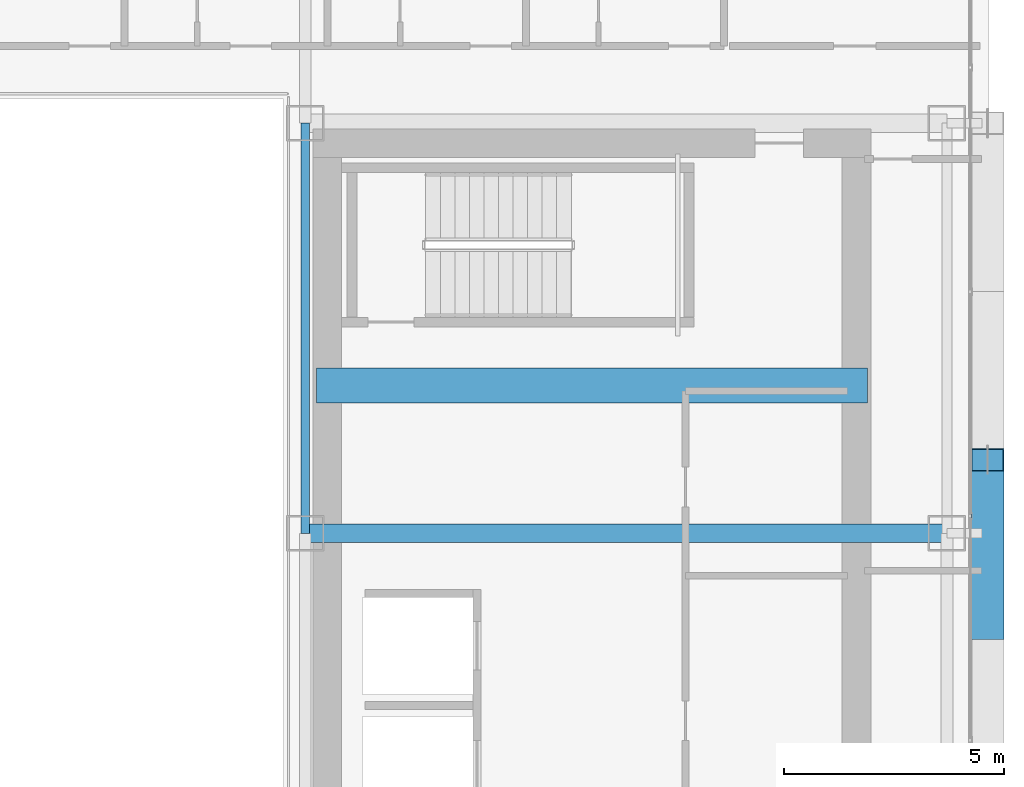
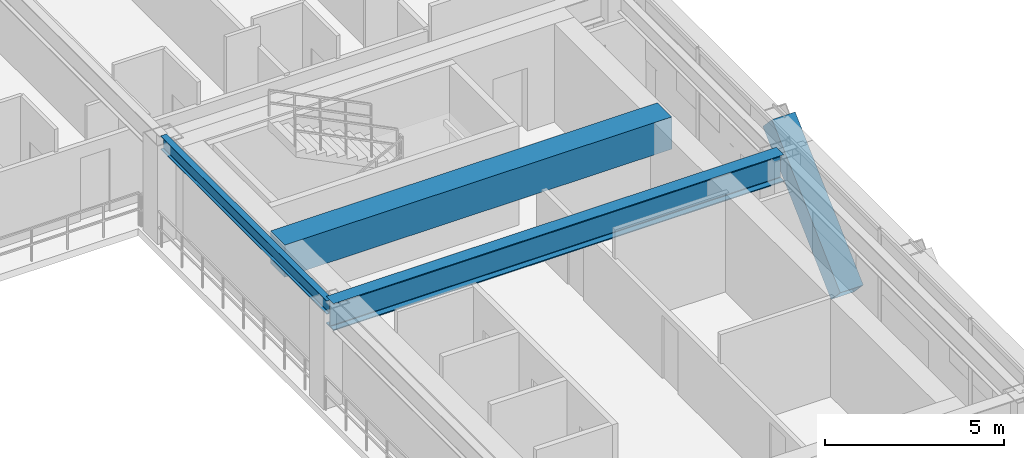
# One storey, part 14 of 36: 3 beams, 1 member.
"""IFC4 building model written with IfcOpenShell, lengths in metres."""

from ifc_helpers import new_model, si_unit, direction, frame, origin, origin_2d, place, context, subcontext, project, spatial, rectangle, hollow_rectangle, i_section, extrude, source, transform, mapped, material, material_profile, profile_set, type_object, element, save


model = new_model("IFC4")

# Units and contexts
model_context = context("Model", 3, precision=1e-05, world=origin(), true_north=direction((0.0, 1.0)))
body_context = subcontext(model_context, "Body", "Model", "MODEL_VIEW")
ifc_project = project(units=[si_unit("LENGTHUNIT", "METRE"), si_unit("AREAUNIT", "SQUARE_METRE"), si_unit("VOLUMEUNIT", "CUBIC_METRE"), si_unit("PLANEANGLEUNIT", "RADIAN"), si_unit("MASSUNIT", "GRAM", prefix="KILO")], contexts=[model_context])

# Site, building, storey
site_placement = place(None, origin())
site = spatial("IfcSite", under=ifc_project, at=site_placement, CompositionType="ELEMENT")
building_placement = place(site_placement, origin())
building = spatial("IfcBuilding", under=site, at=building_placement, Name="Ocotamira Hotel", CompositionType="ELEMENT")
storey_placement = place(building_placement, frame((0.0, 0.0, 136.800048828125)))
storey = spatial("IfcBuildingStorey", under=building, at=storey_placement, Name="L34", CompositionType="ELEMENT", Elevation=136.800048828125)

# Beams
ifc_material_1 = material(Name="Concrete C60/75", Category="concrete")
ifc_material_profile_1 = material_profile(ifc_material_1, rectangle(XDim=0.800048828125, YDim=1.10009765625, at=origin_2d()), Name="RC800X1100")
ifc_profile_set_1 = profile_set([ifc_material_profile_1], Name="Concrete C60/75")
beam_type_1 = type_object("IfcBeamType", Name="BM-LINK-RC800", PredefinedType="LINTEL", material=ifc_profile_set_1)
shared_shape_1 = source(origin(), body_context, "Body", "SweptSolid", [
    extrude(rectangle(XDim=0.800048828125, YDim=1.10009765625, at=origin_2d()), origin(), (0.0, 0.0, 1.0), 12.5),
])
beam_1_placement = place(storey_placement, frame((40.75, 31.5, 2.81005859375), z_axis=(1.0, 0.0, 0.0), x_axis=(0.0, 1.0, 0.0)))
element("IfcBeam", 1, at=beam_1_placement, inside=storey, type_object=beam_type_1, Name="L34 East Core Coupling Beam", PredefinedType="LINTEL", context=body_context, shape_type="MappedRepresentation", body=[
    mapped(shared_shape_1, transform((0.0, 0.0, 0.0), scale=1.0)),
])
ifc_material_2 = material(Name="Steel ASTM A992 Grade 50", Category="steel")
ifc_material_profile_2 = material_profile(ifc_material_2, i_section(OverallWidth=0.41796875, OverallDepth=0.927001953125, WebThickness=0.019287109375, FlangeThickness=0.031982421875, FilletRadius=0.02392578125, at=origin_2d()), Name="W36X231")
ifc_profile_set_2 = profile_set([ifc_material_profile_2], Name="Steel ASTM A992 Grade 50")
beam_type_2 = type_object("IfcBeamType", Name="BM-GIRD-W36X231", PredefinedType="BEAM", material=ifc_profile_set_2)
shared_shape_2 = source(origin(), body_context, "Body", "SweptSolid", [
    extrude(i_section(OverallWidth=0.41796875, OverallDepth=0.927001953125, WebThickness=0.019287109375, FlangeThickness=0.031982421875, FilletRadius=0.02392578125, at=origin_2d()), origin(), (0.0, 0.0, 1.0), 14.550048828125),
])
beam_2_placement = place(storey_placement, frame((40.5, 28.14990234375, 2.896484375), z_axis=(1.0, 0.0, 0.0), x_axis=(0.0, 1.0, 0.0)))
element("IfcBeam", 2, at=beam_2_placement, inside=storey, type_object=beam_type_2, Name="L34 Girder Y28.15 X40.5-55.05", PredefinedType="BEAM", context=body_context, shape_type="MappedRepresentation", body=[
    mapped(shared_shape_2, transform((0.0, 0.0, 0.0), scale=1.0)),
])
ifc_material_profile_3 = material_profile(ifc_material_2, i_section(OverallWidth=0.18994140625, OverallDepth=0.45703125, WebThickness=0.009033203125, FlangeThickness=0.014404296875, FilletRadius=0.010009765625, at=origin_2d()), Name="W18X50")
ifc_profile_set_3 = profile_set([ifc_material_profile_3], Name="Steel ASTM A992 Grade 50")
beam_type_3 = type_object("IfcBeamType", Name="BM-SEC-W18X50", PredefinedType="JOIST", material=ifc_profile_set_3)
shared_shape_3 = source(origin(), body_context, "Body", "SweptSolid", [
    extrude(i_section(OverallWidth=0.18994140625, OverallDepth=0.45703125, WebThickness=0.009033203125, FlangeThickness=0.014404296875, FilletRadius=0.010009765625, at=origin_2d()), origin(), (0.0, 0.0, 1.0), 9.300048828125),
])
beam_3_placement = place(storey_placement, frame((40.5, 28.14990234375, 3.13134765625), z_axis=(0.0, 1.0, 0.0), x_axis=(-1.0, 0.0, 0.0)))
element("IfcBeam", 3, at=beam_3_placement, inside=storey, type_object=beam_type_3, Name="L34 Beam X40.5 Y28.15-37.45", PredefinedType="JOIST", context=body_context, shape_type="MappedRepresentation", body=[
    mapped(shared_shape_3, transform((0.0, 0.0, 0.0), scale=1.0)),
])

# Member
ifc_material_3 = material(Name="Pale-metal coated steel ASTM A913 Grade 65", Category="steel")
ifc_material_profile_4 = material_profile(ifc_material_3, hollow_rectangle(XDim=0.75, YDim=0.75, WallThickness=0.028076171875, at=origin_2d()), Name="BOX750X750X28")
ifc_profile_set_4 = profile_set([ifc_material_profile_4], Name="Pale-metal coated steel ASTM A913 Grade 65")
member_type = type_object("IfcMemberType", Name="MEM-EXO-BOX750", PredefinedType="BRACE", material=ifc_profile_set_4)
shared_shape_4 = source(origin(), body_context, "Body", "SweptSolid", [
    extrude(hollow_rectangle(XDim=0.75, YDim=0.75, WallThickness=0.028076171875, at=origin_2d()), origin(), (0.0, 0.0, 1.0), 5.24658203125),
])
member_placement = place(storey_placement, frame((55.969970703125, 26.0, -0.489990234375), z_axis=(0.0, 0.72746596067, 0.686143772154), x_axis=(-1.0, 0.0, 0.0)))
element("IfcMember", 4, at=member_placement, inside=storey, type_object=member_type, Name="L34 Exoskeleton Diagrid E1.2", PredefinedType="BRACE", context=body_context, shape_type="MappedRepresentation", body=[
    mapped(shared_shape_4, transform((0.0, 0.0, 0.0), scale=1.0)),
])

save(model, "model.ifc")
